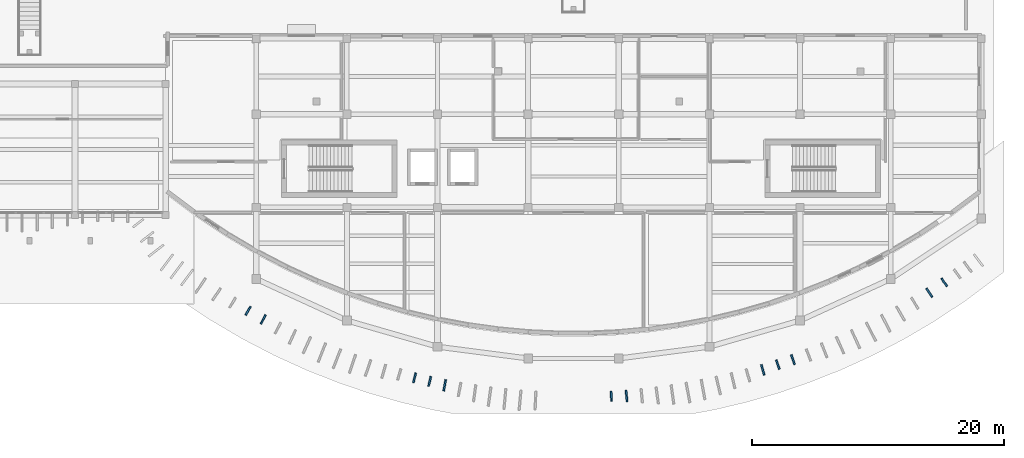
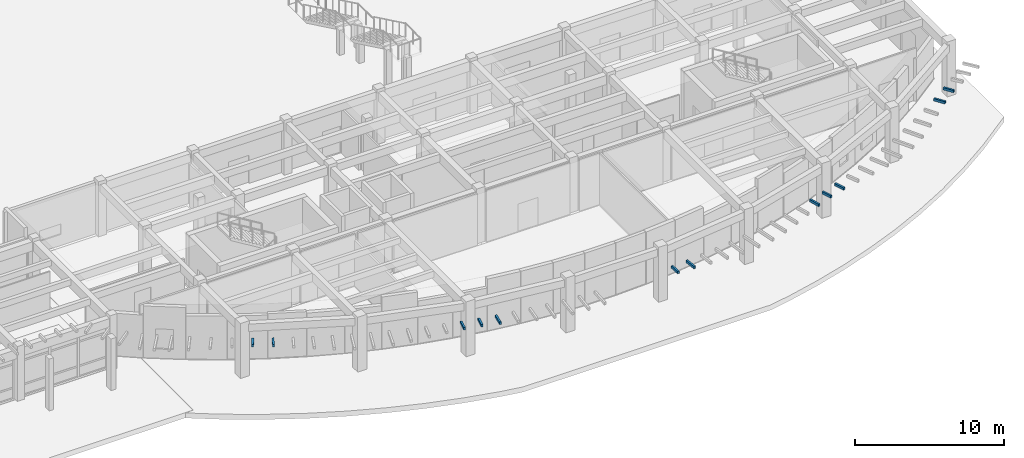
# One storey, part 44 of 58: 12 discrete accessories.
"""IFC4 building model written with IfcOpenShell, lengths in metres."""

from ifc_helpers import new_model, si_unit, direction, frame, origin, origin_2d, place, context, subcontext, project, spatial, rectangle, extrude, material, type_object, element, save


model = new_model("IFC4")

# Units and contexts
model_context = context("Model", 3, precision=1e-05, world=origin(), true_north=direction((0.0, 1.0)))
body_context = subcontext(model_context, "Body", "Model", "MODEL_VIEW")
ifc_project = project(units=[si_unit("LENGTHUNIT", "METRE"), si_unit("AREAUNIT", "SQUARE_METRE"), si_unit("VOLUMEUNIT", "CUBIC_METRE"), si_unit("PLANEANGLEUNIT", "RADIAN"), si_unit("MASSUNIT", "GRAM", prefix="KILO")], contexts=[model_context])

# Site, building, storey
site_placement = place(None, origin())
site = spatial("IfcSite", under=ifc_project, at=site_placement, CompositionType="ELEMENT")
building_placement = place(site_placement, origin())
building = spatial("IfcBuilding", under=site, at=building_placement, Name="Brisavento Harbour Community Centre", CompositionType="ELEMENT")
storey_placement = place(building_placement, origin())
storey = spatial("IfcBuildingStorey", under=building, at=storey_placement, Name="L00", CompositionType="ELEMENT", Elevation=0.0)

# Discrete accessories
ifc_material = material(Name="Stainless steel 1.4401", Category="steel")
discrete_accessory_type = type_object("IfcDiscreteAccessoryType", Name="BRK-FIN-SS", PredefinedType="BRACKET", material=ifc_material)
discrete_accessory_1_placement = place(storey_placement, frame((114.552001953125, 6.786376953125, 4.27978515625), z_axis=(0.0, 0.0, 1.0), x_axis=(-0.507869167385, -0.861434216188, 0.0)))
element("IfcDiscreteAccessory", 1, at=discrete_accessory_1_placement, inside=storey, type_object=discrete_accessory_type, Name="Stainless-steel storm-fin bracket 099.2", PredefinedType="BRACKET", context=body_context, shape_type="SweptSolid", body=[
    extrude(rectangle(XDim=0.7890625, YDim=0.139892578125, at=origin_2d()), origin(), (0.0, 0.0, 1.0), 0.199951171875),
])
discrete_accessory_2_placement = place(storey_placement, frame((115.7509765625, 6.107666015625, 4.27978515625), z_axis=(0.0, 0.0, 1.0), x_axis=(-0.461702168823, -0.887035009063, 0.0)))
element("IfcDiscreteAccessory", 2, at=discrete_accessory_2_placement, inside=storey, type_object=discrete_accessory_type, Name="Stainless-steel storm-fin bracket 100.2", PredefinedType="BRACKET", context=body_context, shape_type="SweptSolid", body=[
    extrude(rectangle(XDim=0.812255859375, YDim=0.139892578125, at=origin_2d()), origin(), (0.0, 0.0, 1.0), 0.199951171875),
])
discrete_accessory_3_placement = place(storey_placement, frame((127.777587890625, 1.46630859375, 4.27978515625), z_axis=(0.0, 0.0, 1.0), x_axis=(-0.230830981037, -0.972993863389, 0.0)))
element("IfcDiscreteAccessory", 3, at=discrete_accessory_3_placement, inside=storey, type_object=discrete_accessory_type, Name="Stainless-steel storm-fin bracket 110.2", PredefinedType="BRACKET", context=body_context, shape_type="SweptSolid", body=[
    extrude(rectangle(XDim=0.79443359375, YDim=0.139892578125, at=origin_2d()), origin(), (0.0, 0.0, 1.0), 0.199951171875),
])
discrete_accessory_4_placement = place(storey_placement, frame((128.977294921875, 1.180908203125, 4.27978515625), z_axis=(0.0, 0.0, 1.0), x_axis=(-0.230830981037, -0.972993863389, 0.0)))
element("IfcDiscreteAccessory", 4, at=discrete_accessory_4_placement, inside=storey, type_object=discrete_accessory_type, Name="Stainless-steel storm-fin bracket 111.2", PredefinedType="BRACKET", context=body_context, shape_type="SweptSolid", body=[
    extrude(rectangle(XDim=0.796142578125, YDim=0.139892578125, at=origin_2d()), origin(), (0.0, 0.0, 1.0), 0.199951171875),
])
discrete_accessory_5_placement = place(storey_placement, frame((130.171142578125, 0.86767578125, 4.27978515625), z_axis=(0.0, 0.0, 1.0), x_axis=(-0.184671830369, -0.982800241691, 0.0)))
element("IfcDiscreteAccessory", 5, at=discrete_accessory_5_placement, inside=storey, type_object=discrete_accessory_type, Name="Stainless-steel storm-fin bracket 112.2", PredefinedType="BRACKET", context=body_context, shape_type="SweptSolid", body=[
    extrude(rectangle(XDim=0.91259765625, YDim=0.139892578125, at=origin_2d()), origin(), (0.0, 0.0, 1.0), 0.199951171875),
])
discrete_accessory_6_placement = place(storey_placement, frame((143.40478515625, -0.00341796875, 4.27978515625), z_axis=(0.0, 0.0, 1.0), x_axis=(0.0461649984, -0.9989338281, 0.0)))
element("IfcDiscreteAccessory", 6, at=discrete_accessory_6_placement, inside=storey, type_object=discrete_accessory_type, Name="Stainless-steel storm-fin bracket 119.2", PredefinedType="BRACKET", context=body_context, shape_type="SweptSolid", body=[
    extrude(rectangle(XDim=0.80126953125, YDim=0.139892578125, at=origin_2d()), origin(), (0.0, 0.0, 1.0), 0.199951171875),
])
discrete_accessory_7_placement = place(storey_placement, frame((144.614990234375, 0.019775390625, 4.27978515625), z_axis=(0.0, 0.0, 1.0), x_axis=(0.092335830041, -0.99572792192, 0.0)))
element("IfcDiscreteAccessory", 7, at=discrete_accessory_7_placement, inside=storey, type_object=discrete_accessory_type, Name="Stainless-steel storm-fin bracket 120.2", PredefinedType="BRACKET", context=body_context, shape_type="SweptSolid", body=[
    extrude(rectangle(XDim=0.92236328125, YDim=0.139892578125, at=origin_2d()), origin(), (0.0, 0.0, 1.0), 0.199951171875),
])
discrete_accessory_8_placement = place(storey_placement, frame((155.436279296875, 2.095947265625, 4.27978515625), z_axis=(0.0, 0.0, 1.0), x_axis=(0.276996031628, -0.96087106235, 0.0)))
element("IfcDiscreteAccessory", 8, at=discrete_accessory_8_placement, inside=storey, type_object=discrete_accessory_type, Name="Stainless-steel storm-fin bracket 129.2", PredefinedType="BRACKET", context=body_context, shape_type="SweptSolid", body=[
    extrude(rectangle(XDim=0.86279296875, YDim=0.139892578125, at=origin_2d()), origin(), (0.0, 0.0, 1.0), 0.199951171875),
])
discrete_accessory_9_placement = place(storey_placement, frame((156.62939453125, 2.51416015625, 4.27978515625), z_axis=(0.0, 0.0, 1.0), x_axis=(0.323174264667, -0.94633947115, 0.0)))
element("IfcDiscreteAccessory", 9, at=discrete_accessory_9_placement, inside=storey, type_object=discrete_accessory_type, Name="Stainless-steel storm-fin bracket 130.2", PredefinedType="BRACKET", context=body_context, shape_type="SweptSolid", body=[
    extrude(rectangle(XDim=0.781494140625, YDim=0.139892578125, at=origin_2d()), origin(), (0.0, 0.0, 1.0), 0.199951171875),
])
discrete_accessory_10_placement = place(storey_placement, frame((157.83642578125, 2.903076171875, 4.27978515625), z_axis=(0.0, 0.0, 1.0), x_axis=(0.323174264667, -0.94633947115, 0.0)))
element("IfcDiscreteAccessory", 10, at=discrete_accessory_10_placement, inside=storey, type_object=discrete_accessory_type, Name="Stainless-steel storm-fin bracket 131.2", PredefinedType="BRACKET", context=body_context, shape_type="SweptSolid", body=[
    extrude(rectangle(XDim=0.82568359375, YDim=0.139892578125, at=origin_2d()), origin(), (0.0, 0.0, 1.0), 0.199951171875),
])
discrete_accessory_11_placement = place(storey_placement, frame((168.667236328125, 8.2275390625, 4.27978515625), z_axis=(0.0, 0.0, 1.0), x_axis=(0.554060082852, -0.832476681109, 0.0)))
element("IfcDiscreteAccessory", 11, at=discrete_accessory_11_placement, inside=storey, type_object=discrete_accessory_type, Name="Stainless-steel storm-fin bracket 140.2", PredefinedType="BRACKET", context=body_context, shape_type="SweptSolid", body=[
    extrude(rectangle(XDim=0.842529296875, YDim=0.139892578125, at=origin_2d()), origin(), (0.0, 0.0, 1.0), 0.199951171875),
])
discrete_accessory_12_placement = place(storey_placement, frame((169.850341796875, 9.0517578125, 4.27978515625), z_axis=(0.0, 0.0, 1.0), x_axis=(0.554060082852, -0.832476681109, 0.0)))
element("IfcDiscreteAccessory", 12, at=discrete_accessory_12_placement, inside=storey, type_object=discrete_accessory_type, Name="Stainless-steel storm-fin bracket 141.2", PredefinedType="BRACKET", context=body_context, shape_type="SweptSolid", body=[
    extrude(rectangle(XDim=0.78125, YDim=0.139892578125, at=origin_2d()), origin(), (0.0, 0.0, 1.0), 0.199951171875),
])

save(model, "model.ifc")
